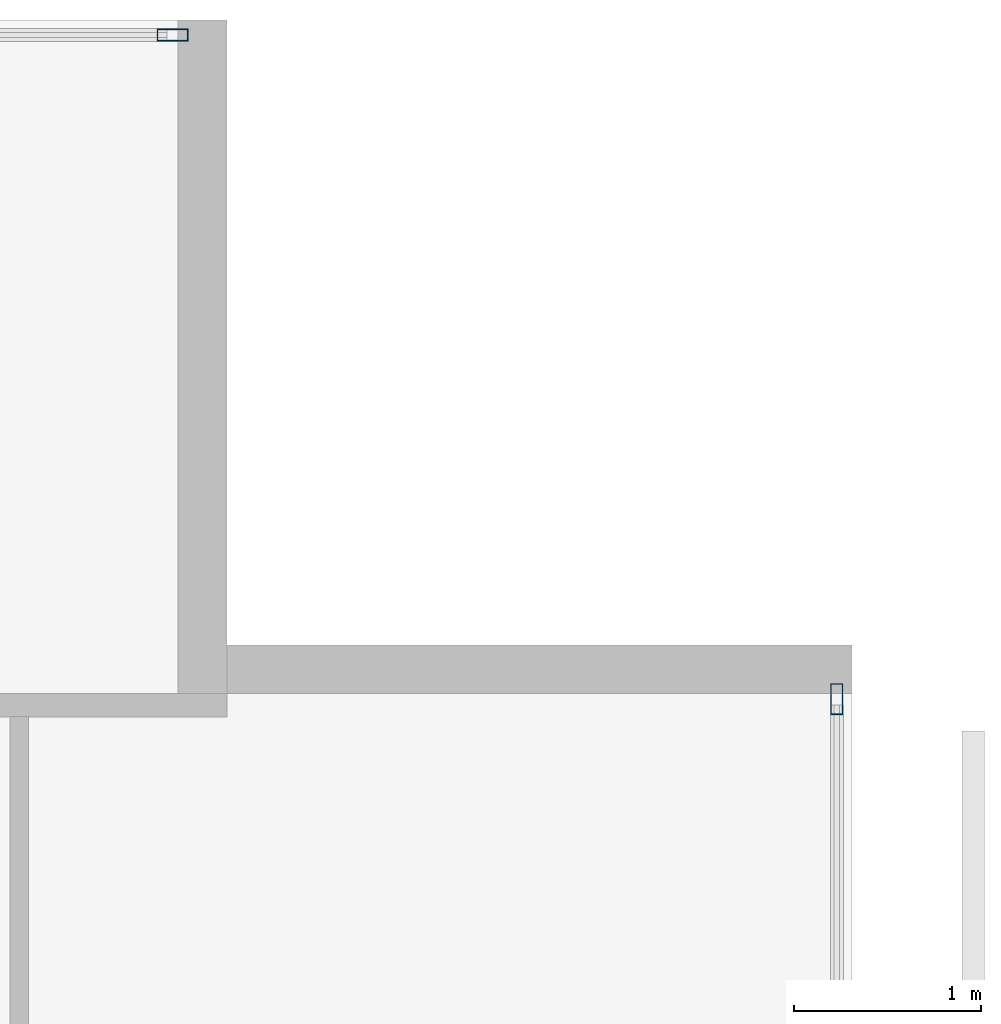
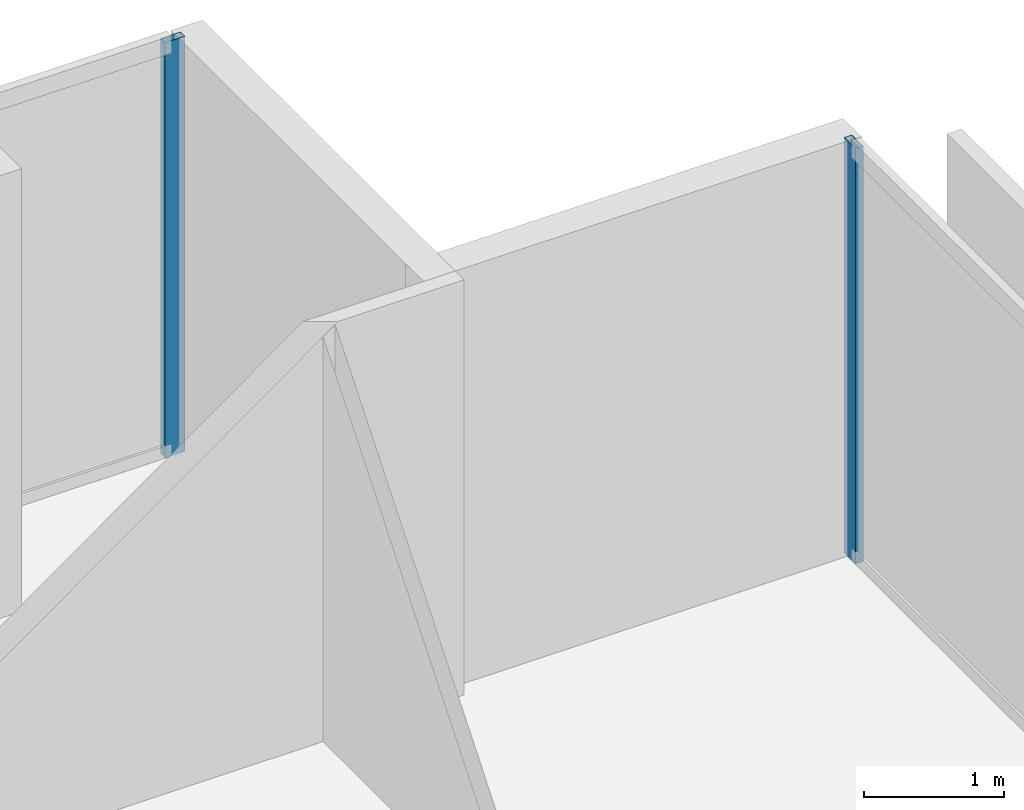
# One storey, part 31 of 40: 2 members, 2 elements without a shape of their own.
"""IFC4 building model written with IfcOpenShell, lengths in metres."""

from ifc_helpers import new_model, si_unit, direction, frame, origin, origin_2d, place, context, subcontext, project, spatial, hollow_rectangle, extrude, material, layer, layer_set, material_profile, profile_set, type_object, element, aggregate, save


model = new_model("IFC4")

# Units and contexts
model_context = context("Model", 3, precision=1e-05, world=origin(), true_north=direction((0.0, 1.0)))
body_context = subcontext(model_context, "Body", "Model", "MODEL_VIEW")
ifc_project = project(units=[si_unit("LENGTHUNIT", "METRE"), si_unit("AREAUNIT", "SQUARE_METRE"), si_unit("VOLUMEUNIT", "CUBIC_METRE"), si_unit("PLANEANGLEUNIT", "RADIAN"), si_unit("MASSUNIT", "GRAM", prefix="KILO")], contexts=[model_context])

# Site, building, storey
site_placement = place(None, origin())
site = spatial("IfcSite", under=ifc_project, at=site_placement, CompositionType="ELEMENT")
building_placement = place(site_placement, origin())
building = spatial("IfcBuilding", under=site, at=building_placement, Name="Maruvema Waterfront Hotel and Observation Tower", CompositionType="ELEMENT")
storey_placement = place(building_placement, frame((0.0, 0.0, 100.10009765625)))
storey = spatial("IfcBuildingStorey", under=building, at=storey_placement, Name="L24", CompositionType="ELEMENT", Elevation=100.10009765625)

# Curtain wall, member
ifc_material_1 = material(Name="Anodised bronze aluminium and solar-control low-E IGU", Category="aluminium")
ifc_layer = layer(ifc_material_1, 0.159912109375, Name="Zone 1 Bronze Inner Thermal Curtain Wall System CW-02")
ifc_layer_set = layer_set([ifc_layer], Name="Anodised bronze aluminium and solar-control low-E IGU")
curtain_wall_type = type_object("IfcCurtainWallType", Name="Zone 1 Bronze Inner Thermal Curtain Wall System CW-02", PredefinedType="USERDEFINED", material=ifc_layer_set)
curtain_wall_1_placement = place(storey_placement, origin())
curtain_wall_1 = element("IfcCurtainWall", 1, at=curtain_wall_1_placement, inside=storey, type_object=curtain_wall_type, Name="L24 Curtain Wall CW-L24-E", ObjectType="UNITISED CURTAIN WALL", PredefinedType="USERDEFINED")
ifc_material_2 = material(Name="Anodised architectural bronze aluminium", Category="aluminium")
ifc_material_profile = material_profile(ifc_material_2, hollow_rectangle(XDim=0.06494140625, YDim=0.1650390625, WallThickness=0.00390625, at=origin_2d()), Name="ALU-M65x165")
ifc_profile_set = profile_set([ifc_material_profile], Name="Anodised architectural bronze aluminium")
member_type = type_object("IfcMemberType", Name="Curtain Wall Primary Mullion ALU-M65x165", PredefinedType="MULLION", material=ifc_profile_set)
member_1_placement = place(storey_placement, frame((64.719970703125, 50.3701171875, 0.0), z_axis=(0.0, 0.0, 1.0), x_axis=(-1.0, 0.0, 0.0)))
member_1 = element("IfcMember", 2, at=member_1_placement, type_object=member_type, Name="CW-02 mullion 7", PredefinedType="MULLION", context=body_context, shape_type="SweptSolid", body=[
    extrude(hollow_rectangle(XDim=0.06494140625, YDim=0.1650390625, WallThickness=0.00390625, at=origin_2d()), origin(), (0.0, 0.0, 1.0), 3.60986328125),
])
aggregate(curtain_wall_1, [member_1])

curtain_wall_2_placement = place(storey_placement, origin())
curtain_wall_2 = element("IfcCurtainWall", 3, at=curtain_wall_2_placement, inside=storey, type_object=curtain_wall_type, Name="L24 Curtain Wall CW-L24-NE", ObjectType="UNITISED CURTAIN WALL", PredefinedType="USERDEFINED")
member_2_placement = place(storey_placement, frame((61.169921875, 53.919921875, 0.0), z_axis=(0.0, 0.0, 1.0), x_axis=(0.0, -1.0, 0.0)))
member_2 = element("IfcMember", 4, at=member_2_placement, type_object=member_type, Name="CW-02 mullion 1", PredefinedType="MULLION", context=body_context, shape_type="SweptSolid", body=[
    extrude(hollow_rectangle(XDim=0.06494140625, YDim=0.1650390625, WallThickness=0.00390625, at=origin_2d()), origin(), (0.0, 0.0, 1.0), 3.60986328125),
])
aggregate(curtain_wall_2, [member_2])

save(model, "model.ifc")
